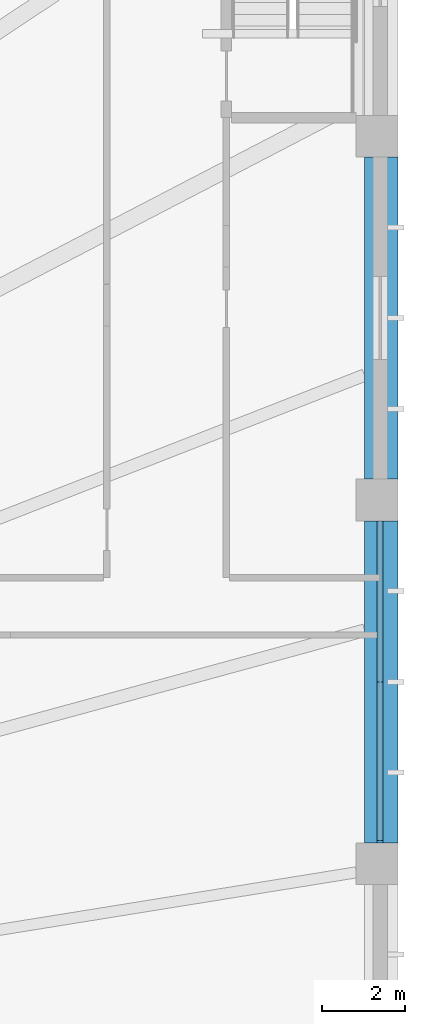
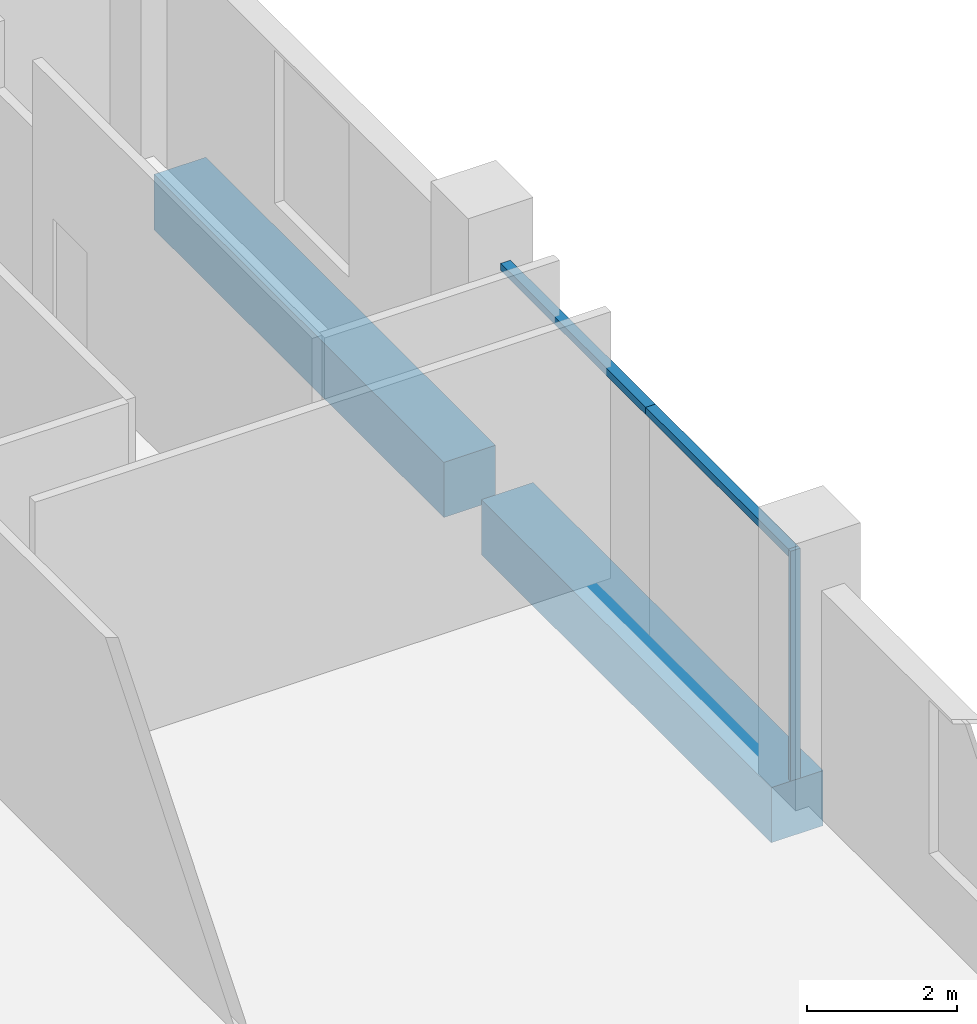
# One storey, part 10 of 33: 3 members, 2 beams, 1 element without a shape of its own.
"""IFC4 building model written with IfcOpenShell, lengths in metres."""

from ifc_helpers import new_model, si_unit, direction, frame, origin, origin_2d, place, context, subcontext, project, spatial, rectangle, extrude, material, layer, layer_set, material_profile, profile_set, type_object, element, aggregate, save


model = new_model("IFC4")

# Units and contexts
model_context = context("Model", 3, precision=1e-05, world=origin(), true_north=direction((0.0, 1.0)))
body_context = subcontext(model_context, "Body", "Model", "MODEL_VIEW")
ifc_project = project(units=[si_unit("LENGTHUNIT", "METRE"), si_unit("AREAUNIT", "SQUARE_METRE"), si_unit("VOLUMEUNIT", "CUBIC_METRE"), si_unit("PLANEANGLEUNIT", "RADIAN"), si_unit("MASSUNIT", "GRAM", prefix="KILO")], contexts=[model_context])

# Site, building, storey
site_placement = place(None, origin())
site = spatial("IfcSite", under=ifc_project, at=site_placement, CompositionType="ELEMENT")
building_placement = place(site_placement, origin())
building = spatial("IfcBuilding", under=site, at=building_placement, Name="Isthmus Gate Tower", CompositionType="ELEMENT")
storey_placement = place(building_placement, frame((0.0, 0.0, 31.5)))
storey = spatial("IfcBuildingStorey", under=building, at=storey_placement, Name="L05", CompositionType="ELEMENT", Elevation=31.5)

# Curtain wall, members
ifc_material_1 = material(Name="Aluminium, pale champagne anodised", Category="aluminium")
ifc_layer = layer(ifc_material_1, 0.14990234375)
ifc_layer_set = layer_set([ifc_layer], Name="CW-3 STOREFRONT CURTAIN WALL 150 DEEP")
curtain_wall_type = type_object("IfcCurtainWallType", Name="CW-3 STOREFRONT CURTAIN WALL 150 DEEP", PredefinedType="NOTDEFINED", material=ifc_layer_set)
curtain_wall_placement = place(storey_placement, origin())
curtain_wall = element("IfcCurtainWall", 1, at=curtain_wall_placement, inside=storey, type_object=curtain_wall_type, Name="CW-3 E L05", PredefinedType="NOTDEFINED")
ifc_material_2 = material(Name="Aluminium, pale champagne anodised", Category="aluminium")
ifc_material_profile_1 = material_profile(ifc_material_2, rectangle(XDim=0.06005859375, YDim=0.14990234375, at=origin_2d()), Name="60x150")
ifc_profile_set_1 = profile_set([ifc_material_profile_1], Name="Aluminium, pale champagne anodised")
member_type_1 = type_object("IfcMemberType", Name="CW-3 MULLION 60 X 150", PredefinedType="MULLION", material=ifc_profile_set_1)
member_1_placement = place(storey_placement, frame((51.574951171875, 9.280029296875, -0.300048828125), z_axis=(0.0, 0.0, 1.0), x_axis=(0.0, 1.0, 0.0)))
member_1 = element("IfcMember", 2, at=member_1_placement, type_object=member_type_1, Name="CW-3 mullion", PredefinedType="MULLION", context=body_context, shape_type="SweptSolid", body=[
    extrude(rectangle(XDim=0.06005859375, YDim=0.14990234375, at=origin_2d()), origin(), (0.0, 0.0, 1.0), 3.75),
])
ifc_material_3 = material(Name="Aluminium, pale champagne anodised", Category="aluminium")
ifc_material_profile_2 = material_profile(ifc_material_3, rectangle(XDim=0.14990234375, YDim=0.1201171875, at=origin_2d()), Name="150x120")
ifc_profile_set_2 = profile_set([ifc_material_profile_2], Name="Aluminium, pale champagne anodised")
member_type_2 = type_object("IfcMemberType", Name="CW-3 TRANSOM 150 X 120", PredefinedType="USERDEFINED", material=ifc_profile_set_2)
member_2_placement = place(storey_placement, frame((51.574951171875, 9.31005859375, 3.389892578125), z_axis=(0.0, 1.0, 0.0), x_axis=(-1.0, 0.0, 0.0)))
member_2 = element("IfcMember", 3, at=member_2_placement, type_object=member_type_2, Name="CW-3 transom", ObjectType="TRANSOM", PredefinedType="USERDEFINED", context=body_context, shape_type="SweptSolid", body=[
    extrude(rectangle(XDim=0.14990234375, YDim=0.1201171875, at=origin_2d()), origin(), (0.0, 0.0, 1.0), 3.81494140625),
])
member_3_placement = place(storey_placement, frame((51.574951171875, 13.125, 3.389892578125), z_axis=(0.0, 1.0, 0.0), x_axis=(-1.0, 0.0, 0.0)))
member_3 = element("IfcMember", 4, at=member_3_placement, type_object=member_type_2, Name="CW-3 transom", ObjectType="TRANSOM", PredefinedType="USERDEFINED", context=body_context, shape_type="SweptSolid", body=[
    extrude(rectangle(XDim=0.14990234375, YDim=0.1201171875, at=origin_2d()), origin(), (0.0, 0.0, 1.0), 3.875),
])
aggregate(curtain_wall, [member_1, member_2, member_3])

# Beams
ifc_material_4 = material(Name="Concrete f'c 70 MPa", Category="concrete")
ifc_material_profile_3 = material_profile(ifc_material_4, rectangle(XDim=0.800048828125, YDim=0.89990234375, at=origin_2d()), Name="RC 800X900")
ifc_profile_set_3 = profile_set([ifc_material_profile_3], Name="Concrete f'c 70 MPa")
beam_type = type_object("IfcBeamType", Name="RC EDGE BEAM 800 X 900", PredefinedType="BEAM", material=ifc_profile_set_3)
for number, where, z_axis, x_axis, name in (
    (5, (51.60009765625, 25.75, -0.75), (0.0, -1.0, 0.0), (1.0, 0.0, 0.0), "str-edgebeam-L05-21"),
    (6, (51.60009765625, 17.0, -0.75), (0.0, -1.0, 0.0), (1.0, 0.0, 0.0), "str-edgebeam-L05-22"),
):
    element("IfcBeam", number, at=place(storey_placement, frame(where, z_axis=z_axis, x_axis=x_axis)), inside=storey, type_object=beam_type, Name=name, PredefinedType="BEAM", context=body_context, shape_type="SweptSolid", body=[
        extrude(rectangle(XDim=0.800048828125, YDim=0.89990234375, at=origin_2d()), origin(), (0.0, 0.0, 1.0), 7.75),
    ])

save(model, "model.ifc")
